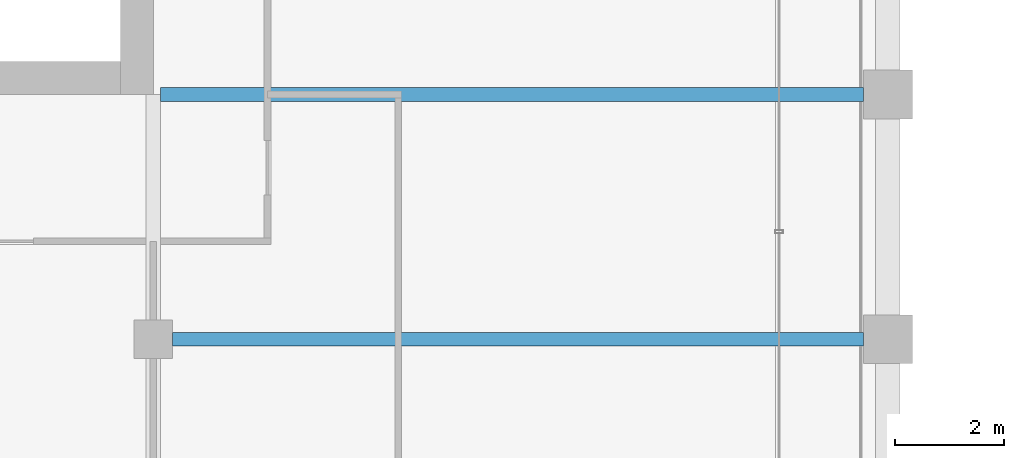
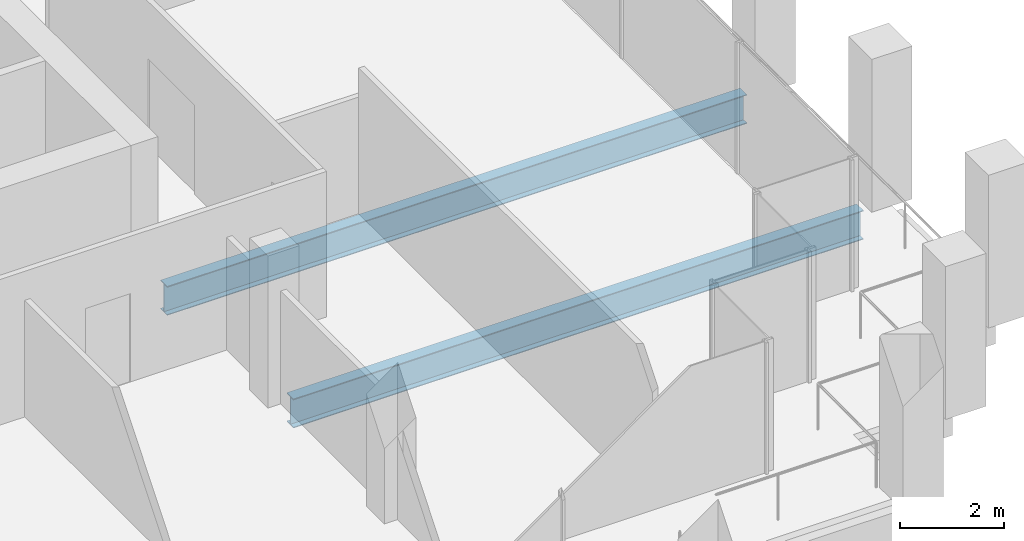
# One storey, part 14 of 40: 2 beams.
"""IFC4 building model written with IfcOpenShell, lengths in metres."""

import ifcopenshell
import ifcopenshell.guid

model = None  # the IFC model being written
_history = None  # IfcOwnerHistory: only IFC2X3 demands one
_inside = {}  # id of a spatial element -> (the spatial element, [elements in it])
_under = {}  # id of a project, library or spatial element -> (it, [spatial elements below it])
_declared = {}  # id of a project -> (the project, [libraries it declares])
_typed = {}  # id of a type object -> (the type object, [elements of that type])
_made_of = {}  # id of a material, layer set ... -> (it, [elements and type objects made of it])


def new_model(schema):
    """Start an empty IFC model of exactly this schema.

    Asked for "IFC4X3", IfcOpenShell would pick the latest addendum, in which some entities
    have other attributes; the version numbers below select the first issue.
    IFC2X3 requires an IfcOwnerHistory on every rooted entity: one is made here for all.
    """
    global model, _history
    if schema == "IFC4X3":
        model = ifcopenshell.file(schema_version=(4, 3, 0, 0))
    else:
        model = ifcopenshell.file(schema=schema)
    _inside.clear()
    _under.clear()
    _declared.clear()
    _typed.clear()
    _made_of.clear()
    _history = None
    if model.schema == "IFC2X3":
        org = make("IfcOrganization", Name="unknown")
        user = make(
            "IfcPersonAndOrganization",
            ThePerson=make("IfcPerson", FamilyName="unknown"),
            TheOrganization=org,
        )
        app = make(
            "IfcApplication",
            ApplicationDeveloper=org,
            Version="unknown",
            ApplicationFullName="unknown",
            ApplicationIdentifier="unknown",
        )
        _history = make(
            "IfcOwnerHistory",
            OwningUser=user,
            OwningApplication=app,
            ChangeAction="ADDED",
            CreationDate=0,
        )
    return model


def make(cls, **values):
    """One entity of the class cls with the attributes given. An attribute that is None is left unset."""
    return model.create_entity(
        cls, **{name: value for name, value in values.items() if value is not None}
    )


def rooted(cls, **values):
    """An entity with a GlobalId (a new one), such as an element, a storey or a relation."""
    return make(cls, GlobalId=ifcopenshell.guid.new(), OwnerHistory=_history, **values)


def si_unit(unit_type, name, prefix=None):
    """IfcSIUnit, for example si_unit("LENGTHUNIT", "METRE", prefix="MILLI")."""
    return make("IfcSIUnit", UnitType=unit_type, Prefix=prefix, Name=name)


def assignment(units):
    """IfcUnitAssignment: the units of a project."""
    return None if units is None else make("IfcUnitAssignment", Units=units)


def point(xyz):
    """IfcCartesianPoint."""
    return None if xyz is None else make("IfcCartesianPoint", Coordinates=xyz)


def direction(xyz):
    """IfcDirection."""
    return None if xyz is None else make("IfcDirection", DirectionRatios=xyz)


def frame(location, z_axis=None, x_axis=None):
    """IfcAxis2Placement3D, a coordinate frame: its origin and axes. An axis left out is left unset."""
    return make(
        "IfcAxis2Placement3D",
        Location=point(location),
        Axis=direction(z_axis),
        RefDirection=direction(x_axis),
    )


def frame_2d(location, x_axis=None):
    """IfcAxis2Placement2D, a coordinate frame in the plane: its origin and x axis."""
    return make(
        "IfcAxis2Placement2D", Location=point(location), RefDirection=direction(x_axis)
    )


def origin():
    """The frame at (0, 0, 0) with its axes left unset."""
    return frame((0.0, 0.0, 0.0))


def origin_2d():
    """The frame at (0, 0) in the plane with its x axis left unset."""
    return frame_2d((0.0, 0.0))


def place(relative_to, where):
    """IfcLocalPlacement: puts the frame where relative to a parent placement (None: the world)."""
    return make(
        "IfcLocalPlacement", PlacementRelTo=relative_to, RelativePlacement=where
    )


def context(
    kind, dimensions, precision=None, world=None, true_north=None, identifier=None
):
    """IfcGeometricRepresentationContext, for example the 3D "Model" context."""
    return make(
        "IfcGeometricRepresentationContext",
        ContextIdentifier=identifier,
        ContextType=kind,
        CoordinateSpaceDimension=dimensions,
        Precision=precision,
        WorldCoordinateSystem=world,
        TrueNorth=true_north,
    )


def subcontext(parent, identifier, kind, view, scale=None):
    """IfcGeometricRepresentationSubContext, for example "Body" below "Model"."""
    return make(
        "IfcGeometricRepresentationSubContext",
        ContextIdentifier=identifier,
        ContextType=kind,
        ParentContext=parent,
        TargetScale=scale,
        TargetView=view,
    )


def project(units=None, contexts=None):
    """IfcProject with its units and contexts."""
    return rooted(
        "IfcProject",
        Name="project",
        RepresentationContexts=contexts,
        UnitsInContext=assignment(units),
    )


def spatial(cls, under=None, at=None, **own):
    """A site, building, storey or space (cls), placed at a placement, below another one or the project."""
    s = rooted(cls, ObjectPlacement=at, **own)
    if under is not None:
        _under.setdefault(under.id(), (under, []))[1].append(s)
    return s


def profile(cls, at=None, kind="AREA", **sizes):
    """A parametric profile (cls). Its sizes go by their IFC names, for example OverallWidth=200.0."""
    return make(cls, ProfileType=kind, Position=at, **sizes)


def i_section(**sizes):
    """IfcIShapeProfileDef."""
    return profile("IfcIShapeProfileDef", **sizes)


def extrude(swept, where, along, depth):
    """IfcExtrudedAreaSolid: the profile swept, set in the frame where, extruded along a direction by depth."""
    return make(
        "IfcExtrudedAreaSolid",
        SweptArea=swept,
        Position=where,
        ExtrudedDirection=direction(along),
        Depth=depth,
    )


def shape(context_of_items, identifier, shape_type, items):
    """IfcShapeRepresentation: the items that make up one representation, for example the "Body"."""
    return make(
        "IfcShapeRepresentation",
        ContextOfItems=context_of_items,
        RepresentationIdentifier=identifier,
        RepresentationType=shape_type,
        Items=items,
    )


def material(Name=None, Category=None):
    """IfcMaterial."""
    return make("IfcMaterial", Name=Name, Category=Category)


def material_profile(
    of_material, cross_section, Name=None, Category=None, Priority=None
):
    """IfcMaterialProfile: a cross section and its material."""
    return make(
        "IfcMaterialProfile",
        Name=Name,
        Material=of_material,
        Profile=cross_section,
        Priority=Priority,
        Category=Category,
    )


def profile_set(profiles, Name=None, composite=None):
    """IfcMaterialProfileSet."""
    return make(
        "IfcMaterialProfileSet",
        Name=Name,
        MaterialProfiles=profiles,
        CompositeProfile=composite,
    )


def made_of(thing, what):
    """Note that an element or type object is made of a material, layer set ...; save() writes the relation."""
    if what is not None:
        _made_of.setdefault(what.id(), (what, []))[1].append(thing)
    return thing


def type_object(cls, material=None, **own):
    """A type object (cls), such as IfcWallType, which elements share."""
    return made_of(rooted(cls, **own), material)


def element(
    cls,
    number,
    at=None,
    inside=None,
    cuts=None,
    type_object=None,
    material=None,
    context=None,
    identifier="Body",
    shape_type=None,
    held_by="IfcProductDefinitionShape",
    body=None,
    shapes=None,
    **own,
):
    """One element of the class cls, such as IfcWall. Its Tag is "e" and its number.

    at: its placement. inside: the storey or other place that contains it. cuts: it is an
    opening in that element (IfcRelVoidsElement). A single representation is given by context,
    identifier, shape_type and body (its items); several are given by shapes. held_by: the class
    of the entity that holds the representations. save() writes the other relations.
    """
    e = rooted(cls, Tag="e%d" % number, ObjectPlacement=at, **own)
    if body is not None:
        shapes = [shape(context, identifier, shape_type, body)]
    if shapes is not None:
        e.Representation = make(held_by, Representations=shapes)
    if inside is not None:
        _inside.setdefault(inside.id(), (inside, []))[1].append(e)
    if cuts is not None:
        rooted(
            "IfcRelVoidsElement", RelatingBuildingElement=cuts, RelatedOpeningElement=e
        )
    if type_object is not None:
        _typed.setdefault(type_object.id(), (type_object, []))[1].append(e)
    return made_of(e, material)


def aggregate(whole, parts):
    """IfcRelAggregates: a whole, such as a stair, and the parts it consists of."""
    return rooted("IfcRelAggregates", RelatingObject=whole, RelatedObjects=parts)


def save(model, path):
    """Write the relations noted so far, then the file.

    IfcRelAggregates (storeys below a building ...), IfcRelContainedInSpatialStructure (elements
    in a storey), IfcRelDefinesByType, IfcRelAssociatesMaterial and IfcRelDeclares: one each for
    every whole, place, type object, material and project.
    """
    for whole, parts in _under.values():
        aggregate(whole, parts)
    for where, things in _inside.values():
        rooted(
            "IfcRelContainedInSpatialStructure",
            RelatedElements=things,
            RelatingStructure=where,
        )
    for kind, things in _typed.values():
        rooted("IfcRelDefinesByType", RelatedObjects=things, RelatingType=kind)
    for what, things in _made_of.values():
        rooted("IfcRelAssociatesMaterial", RelatedObjects=things, RelatingMaterial=what)
    for by, libraries in _declared.values():
        rooted("IfcRelDeclares", RelatingContext=by, RelatedDefinitions=libraries)
    model.write(path)


model = new_model("IFC4")

# Units and contexts
model_context = context("Model", 3, precision=1e-05, world=origin(), true_north=direction((0.0, 1.0)))
body_context = subcontext(model_context, "Body", "Model", "MODEL_VIEW")
ifc_project = project(units=[si_unit("LENGTHUNIT", "METRE"), si_unit("AREAUNIT", "SQUARE_METRE"), si_unit("VOLUMEUNIT", "CUBIC_METRE"), si_unit("PLANEANGLEUNIT", "RADIAN"), si_unit("MASSUNIT", "GRAM", prefix="KILO")], contexts=[model_context])

# Site, building, storey
site_placement = place(None, origin())
site = spatial("IfcSite", under=ifc_project, at=site_placement, CompositionType="ELEMENT")
building_placement = place(site_placement, origin())
building = spatial("IfcBuilding", under=site, at=building_placement, Name="Altepetl Exchange Towers", CompositionType="ELEMENT")
storey_placement = place(building_placement, frame((0.0, 0.0, 172.60009765625)))
storey = spatial("IfcBuildingStorey", under=building, at=storey_placement, Name="L43", CompositionType="ELEMENT", Elevation=172.60009765625)

# Beams
ifc_material = material(Name="Steel S355", Category="steel")
ifc_material_profile = material_profile(ifc_material, i_section(OverallWidth=0.25390625, OverallDepth=0.68408203125, WebThickness=0.012451171875, FlangeThickness=0.018798828125, at=origin_2d()), Name="W27X94")
ifc_profile_set = profile_set([ifc_material_profile], Name="Steel S355")
beam_type = type_object("IfcBeamType", Name="Floor beam W27X94", PredefinedType="BEAM", material=ifc_profile_set)
beam_1_placement = place(storey_placement, frame((58.85009765625, 36.0, -0.4921875), z_axis=(1.0, 0.0, 0.0), x_axis=(0.0, 1.0, 0.0)))
element("IfcBeam", 1, at=beam_1_placement, inside=storey, type_object=beam_type, Name="bm:A:L43:007", PredefinedType="BEAM", context=body_context, shape_type="SweptSolid", body=[
    extrude(i_section(OverallWidth=0.25390625, OverallDepth=0.68408203125, WebThickness=0.012451171875, FlangeThickness=0.018798828125, at=origin_2d()), origin(), (0.0, 0.0, 1.0), 12.699951171875),
])
beam_2_placement = place(storey_placement, frame((58.634033203125, 40.5, -0.4921875), z_axis=(1.0, 0.0, 0.0), x_axis=(0.0, 1.0, 0.0)))
element("IfcBeam", 2, at=beam_2_placement, inside=storey, type_object=beam_type, Name="bm:A:L43:008", PredefinedType="BEAM", context=body_context, shape_type="SweptSolid", body=[
    extrude(i_section(OverallWidth=0.25390625, OverallDepth=0.68408203125, WebThickness=0.012451171875, FlangeThickness=0.018798828125, at=origin_2d()), origin(), (0.0, 0.0, 1.0), 12.916015625),
])

save(model, "model.ifc")
